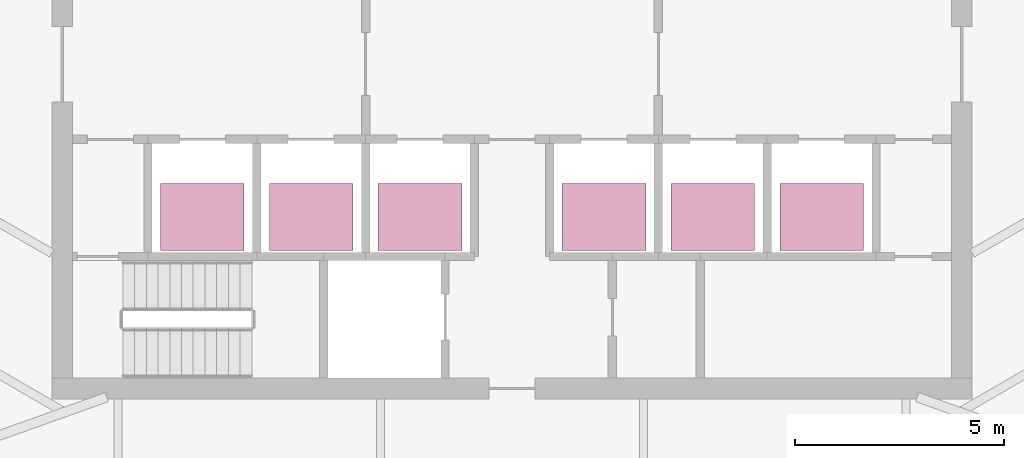
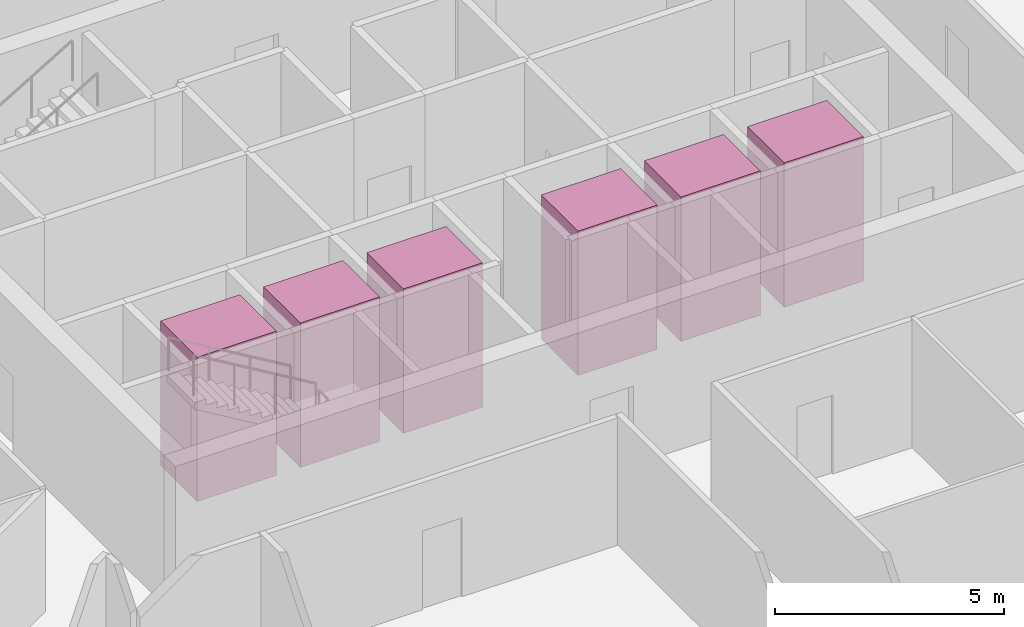
# One storey, part 15 of 15: 6 transport elements.
"""IFC4 building model written with IfcOpenShell, lengths in metres."""

from ifc_helpers import new_model, si_unit, direction, frame, origin, origin_2d, place, context, subcontext, project, spatial, rectangle, extrude, material, type_object, element, save


model = new_model("IFC4")

# Units and contexts
model_context = context("Model", 3, precision=1e-05, world=origin(), true_north=direction((0.0, 1.0)))
body_context = subcontext(model_context, "Body", "Model", "MODEL_VIEW")
ifc_project = project(units=[si_unit("LENGTHUNIT", "METRE"), si_unit("AREAUNIT", "SQUARE_METRE"), si_unit("VOLUMEUNIT", "CUBIC_METRE"), si_unit("PLANEANGLEUNIT", "RADIAN"), si_unit("MASSUNIT", "GRAM", prefix="KILO")], contexts=[model_context])

# Site, building, storey
site_placement = place(None, origin())
site = spatial("IfcSite", under=ifc_project, at=site_placement, CompositionType="ELEMENT")
building_placement = place(site_placement, origin())
building = spatial("IfcBuilding", under=site, at=building_placement, Name="Sierra Prisma Convention Tower", CompositionType="ELEMENT")
storey_placement = place(building_placement, frame((0.0, 0.0, 299.0)))
storey = spatial("IfcBuildingStorey", under=building, at=storey_placement, Name="L68", CompositionType="ELEMENT", Elevation=299.0)

# Transport elements
ifc_material = material(Name="Stainless steel", Category="steel")
transport_element_type = type_object("IfcTransportElementType", Name="Lift car office high 2000x1600 1600 kg", PredefinedType="ELEVATOR", material=ifc_material)
for number, where, z_axis, x_axis, name in (
    (1, (-7.39990234375, -3.64990234375, 0.0), (0.0, 0.0, 1.0), (1.0, 0.0, 0.0), "Lift OH1"),
    (2, (-4.800048828125, -3.64990234375, 0.0), (0.0, 0.0, 1.0), (1.0, 0.0, 0.0), "Lift OH2"),
    (3, (-2.199951171875, -3.64990234375, 0.0), (0.0, 0.0, 1.0), (1.0, 0.0, 0.0), "Lift OH3"),
    (4, (2.199951171875, -3.64990234375, 0.0), (0.0, 0.0, 1.0), (1.0, 0.0, 0.0), "Lift OH4"),
    (5, (4.800048828125, -3.64990234375, 0.0), (0.0, 0.0, 1.0), (1.0, 0.0, 0.0), "Lift OH5"),
    (6, (7.39990234375, -3.64990234375, 0.0), (0.0, 0.0, 1.0), (1.0, 0.0, 0.0), "Lift OH6"),
):
    element("IfcTransportElement", number, at=place(storey_placement, frame(where, z_axis=z_axis, x_axis=x_axis)), inside=storey, type_object=transport_element_type, Name=name, PredefinedType="ELEVATOR", context=body_context, shape_type="SweptSolid", body=[
        extrude(rectangle(XDim=2.0, YDim=1.60009765625, at=origin_2d()), origin(), (0.0, 0.0, 1.0), 3.85009765625),
    ])

save(model, "model.ifc")
